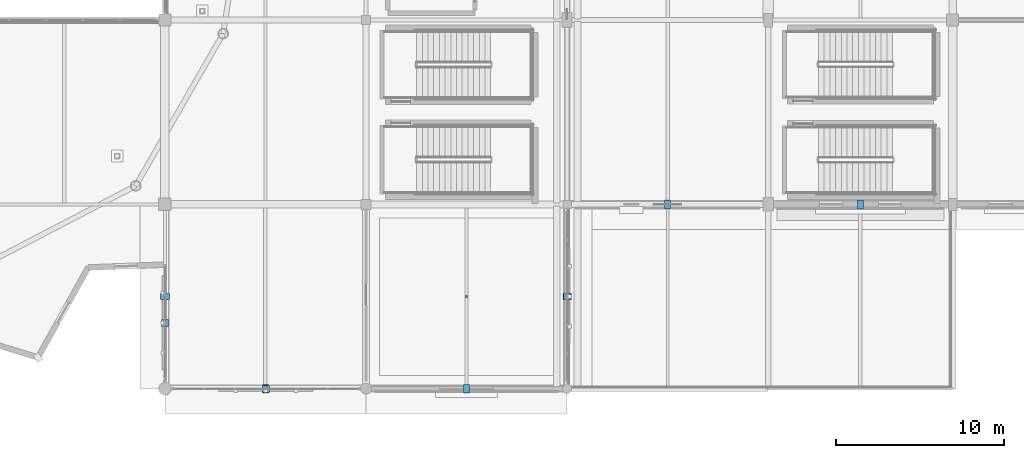
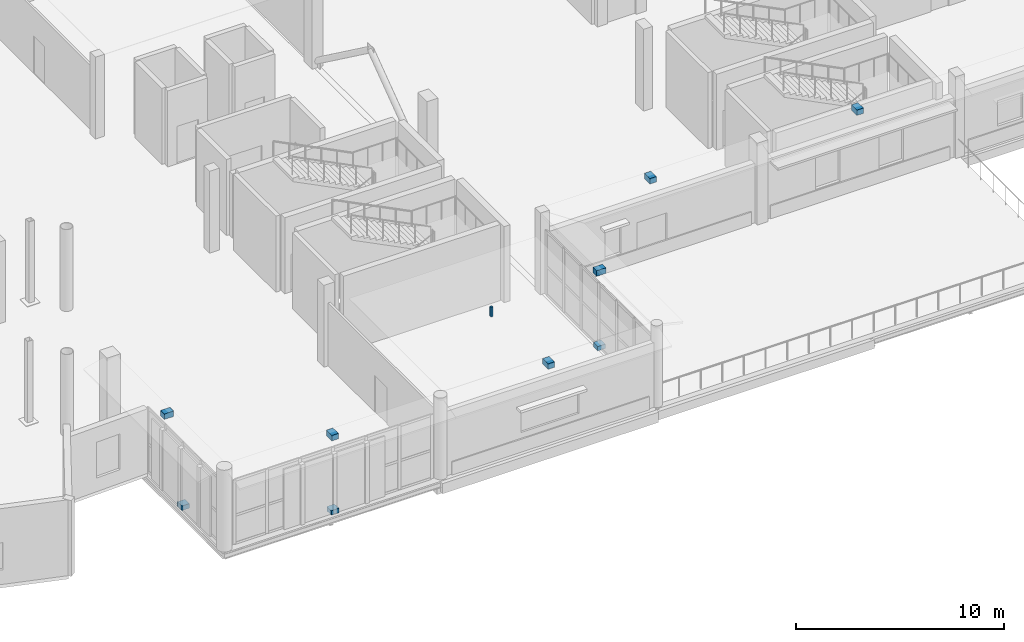
# One storey, part 112 of 143: 10 discrete accessories.
"""IFC4 building model written with IfcOpenShell, lengths in metres."""

from ifc_helpers import new_model, si_unit, direction, frame, origin, origin_2d, place, context, subcontext, project, spatial, rectangle, extrude, material, layer, layer_set, type_object, element, save


model = new_model("IFC4")

# Units and contexts
model_context = context("Model", 3, precision=1e-05, world=origin(), true_north=direction((0.0, 1.0)))
body_context = subcontext(model_context, "Body", "Model", "MODEL_VIEW")
ifc_project = project(units=[si_unit("LENGTHUNIT", "METRE"), si_unit("AREAUNIT", "SQUARE_METRE"), si_unit("VOLUMEUNIT", "CUBIC_METRE"), si_unit("PLANEANGLEUNIT", "RADIAN"), si_unit("MASSUNIT", "GRAM", prefix="KILO")], contexts=[model_context])

# Site, building, storey
site_placement = place(None, origin())
site = spatial("IfcSite", under=ifc_project, at=site_placement, CompositionType="ELEMENT")
building_placement = place(site_placement, origin())
building = spatial("IfcBuilding", under=site, at=building_placement, Name="Luwafu Chhajja Arena", CompositionType="ELEMENT")
storey_placement = place(building_placement, frame((0.0, 0.0, 5.39990234375)))
storey = spatial("IfcBuildingStorey", under=building, at=storey_placement, Name="L01", CompositionType="ELEMENT", Elevation=5.39990234375)

# Discrete accessories
ifc_material = material(Name="Stainless steel bracket", Category="steel")
ifc_layer = layer(ifc_material, 0.179931640625, Name="Stainless steel bracket")
ifc_layer_set = layer_set([ifc_layer], Name="Stainless steel bracket")
discrete_accessory_type = type_object("IfcDiscreteAccessoryType", Name="Stainless Steel Facade Support Bracket", PredefinedType="BRACKET", material=ifc_layer_set)
discrete_accessory_1_placement = place(storey_placement, frame((146.0, 0.0, 4.3798828125), z_axis=(0.0, 0.0, 1.0), x_axis=(1.0, 0.0, 0.0)))
element("IfcDiscreteAccessory", 1, at=discrete_accessory_1_placement, inside=storey, type_object=discrete_accessory_type, Name="L01 Chhajja Eave Support Bracket 0183", PredefinedType="BRACKET", context=body_context, shape_type="SweptSolid", body=[
    extrude(rectangle(XDim=0.360107421875, YDim=0.52001953125, at=origin_2d()), origin(), (0.0, 0.0, 1.0), 0.320068359375),
])
discrete_accessory_2_placement = place(storey_placement, frame((146.02490234375, 0.0, -0.009765625), z_axis=(0.0, 0.0, 1.0), x_axis=(1.0, 0.0, 0.0)))
element("IfcDiscreteAccessory", 2, at=discrete_accessory_2_placement, inside=storey, type_object=discrete_accessory_type, Name="Jali Stainless Support Bracket 0184", PredefinedType="BRACKET", context=body_context, shape_type="SweptSolid", body=[
    extrude(rectangle(XDim=0.419921875, YDim=0.419921875, at=origin_2d()), origin(), (0.0, 0.0, 1.0), 0.260009765625),
])
discrete_accessory_3_placement = place(storey_placement, frame((140.0, 5.5, 4.3798828125), z_axis=(0.0, 0.0, 1.0), x_axis=(0.0, 1.0, 0.0)))
element("IfcDiscreteAccessory", 3, at=discrete_accessory_3_placement, inside=storey, type_object=discrete_accessory_type, Name="L01 Chhajja Eave Support Bracket 0185", PredefinedType="BRACKET", context=body_context, shape_type="SweptSolid", body=[
    extrude(rectangle(XDim=0.360107421875, YDim=0.52001953125, at=origin_2d()), origin(), (0.0, 0.0, 1.0), 0.320068359375),
])
discrete_accessory_4_placement = place(storey_placement, frame((140.0, 3.931640625, -0.009765625), z_axis=(0.0, 0.0, 1.0), x_axis=(0.0, 1.0, 0.0)))
element("IfcDiscreteAccessory", 4, at=discrete_accessory_4_placement, inside=storey, type_object=discrete_accessory_type, Name="Jali Stainless Support Bracket 0186", PredefinedType="BRACKET", context=body_context, shape_type="SweptSolid", body=[
    extrude(rectangle(XDim=0.419921875, YDim=0.419921875, at=origin_2d()), origin(), (0.0, 0.0, 1.0), 0.260009765625),
])
for number, where, z_axis, x_axis, name in (
    (5, (158.0, 0.0, 4.3798828125), (0.0, 0.0, 1.0), (1.0, 0.0, 0.0), "L01 Chhajja Eave Support Bracket 0191"),
    (6, (164.0, 5.5, 4.3798828125), (0.0, 0.0, 1.0), (0.0, 1.0, 0.0), "L01 Chhajja Eave Support Bracket 0192"),
):
    element("IfcDiscreteAccessory", number, at=place(storey_placement, frame(where, z_axis=z_axis, x_axis=x_axis)), inside=storey, type_object=discrete_accessory_type, Name=name, PredefinedType="BRACKET", context=body_context, shape_type="SweptSolid", body=[
        extrude(rectangle(XDim=0.360107421875, YDim=0.52001953125, at=origin_2d()), origin(), (0.0, 0.0, 1.0), 0.320068359375),
    ])
discrete_accessory_5_placement = place(storey_placement, frame((164.0, 5.512451171875, -0.009765625), z_axis=(0.0, 0.0, 1.0), x_axis=(0.0, 1.0, 0.0)))
element("IfcDiscreteAccessory", 7, at=discrete_accessory_5_placement, inside=storey, type_object=discrete_accessory_type, Name="Jali Stainless Support Bracket 0193", PredefinedType="BRACKET", context=body_context, shape_type="SweptSolid", body=[
    extrude(rectangle(XDim=0.419921875, YDim=0.419921875, at=origin_2d()), origin(), (0.0, 0.0, 1.0), 0.260009765625),
])
for number, where, z_axis, x_axis, name in (
    (8, (170.0, 11.0, 4.3798828125), (0.0, 0.0, 1.0), (1.0, 0.0, 0.0), "L01 Chhajja Eave Support Bracket 0196"),
    (9, (181.5, 11.0, 4.3798828125), (0.0, 0.0, 1.0), (1.0, 0.0, 0.0), "L01 Chhajja Eave Support Bracket 0198"),
):
    element("IfcDiscreteAccessory", number, at=place(storey_placement, frame(where, z_axis=z_axis, x_axis=x_axis)), inside=storey, type_object=discrete_accessory_type, Name=name, PredefinedType="BRACKET", context=body_context, shape_type="SweptSolid", body=[
        extrude(rectangle(XDim=0.360107421875, YDim=0.52001953125, at=origin_2d()), origin(), (0.0, 0.0, 1.0), 0.320068359375),
    ])
discrete_accessory_6_placement = place(storey_placement, frame((158.0, 5.5, 3.94140625), z_axis=(0.0, 0.0, 1.0), x_axis=(1.0, 0.0, 0.0)))
element("IfcDiscreteAccessory", 10, at=discrete_accessory_6_placement, inside=storey, type_object=discrete_accessory_type, Name="L01 Ceiling Suspension Hanger 035", PredefinedType="BRACKET", context=body_context, shape_type="SweptSolid", body=[
    extrude(rectangle(XDim=0.1201171875, YDim=0.1201171875, at=origin_2d()), origin(), (0.0, 0.0, 1.0), 0.568603515625),
])

save(model, "model.ifc")
